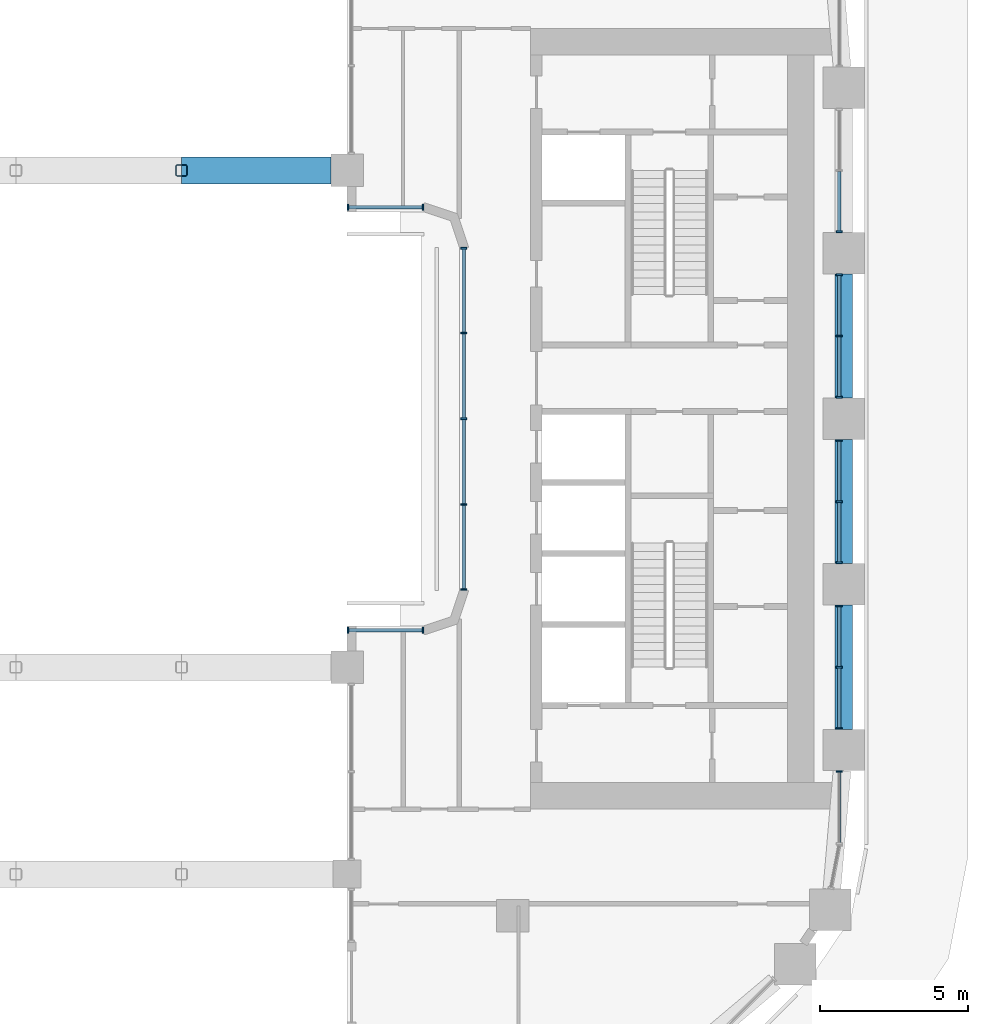
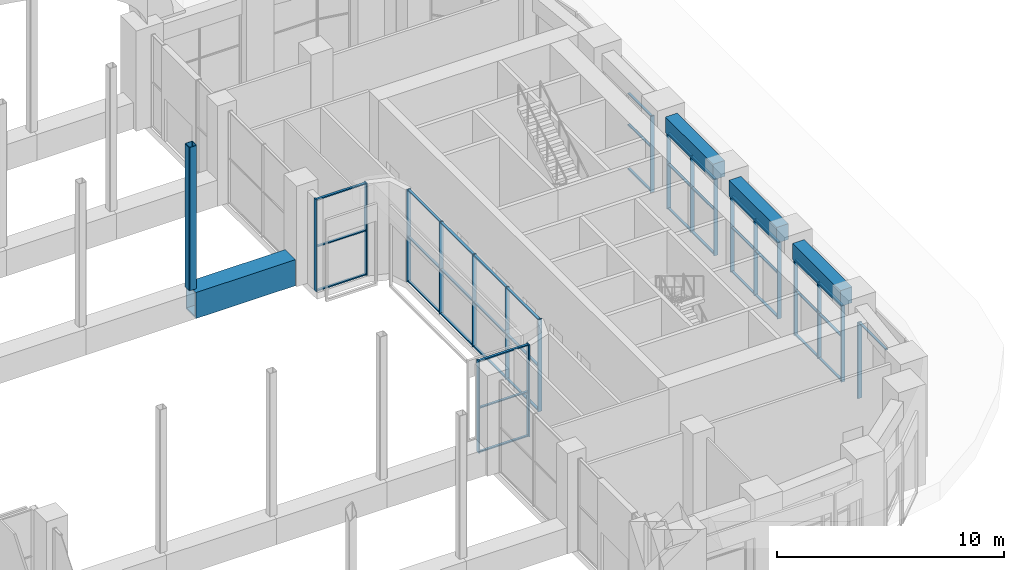
# One storey, part 6 of 27: 62 members, 3 beams, 8 elements without a shape of their own.
"""IFC4 building model written with IfcOpenShell, lengths in metres."""

from ifc_helpers import new_model, si_unit, direction, frame, origin, origin_2d, place, context, subcontext, project, spatial, rectangle, hollow_rectangle, extrude, material, layer, layer_set, material_profile, profile_set, type_object, element, aggregate, save


model = new_model("IFC4")

# Units and contexts
model_context = context("Model", 3, precision=1e-05, world=origin(), true_north=direction((0.0, 1.0)))
body_context = subcontext(model_context, "Body", "Model", "MODEL_VIEW")
ifc_project = project(units=[si_unit("LENGTHUNIT", "METRE"), si_unit("AREAUNIT", "SQUARE_METRE"), si_unit("VOLUMEUNIT", "CUBIC_METRE"), si_unit("PLANEANGLEUNIT", "RADIAN"), si_unit("MASSUNIT", "GRAM", prefix="KILO")], contexts=[model_context])

# Site, building, storey
site_placement = place(None, origin())
site = spatial("IfcSite", under=ifc_project, at=site_placement, CompositionType="ELEMENT")
building_placement = place(site_placement, origin())
building = spatial("IfcBuilding", under=site, at=building_placement, Name="Kiln Ring Residences", CompositionType="ELEMENT")
storey_placement = place(building_placement, frame((0.0, 0.0, 72.5)))
storey = spatial("IfcBuildingStorey", under=building, at=storey_placement, Name="L18", CompositionType="ELEMENT", Elevation=72.5)

# Members
ifc_material_1 = material(Name="Steel S460", Category="steel")
ifc_material_profile_1 = material_profile(ifc_material_1, hollow_rectangle(XDim=0.89990234375, YDim=1.39990234375, WallThickness=0.080078125, at=origin_2d()), Name="BOX1400x900x80")
ifc_profile_set_1 = profile_set([ifc_material_profile_1], Name="Steel S460")
member_type_1 = type_object("IfcMemberType", Name="Bridge truss chord BOX1400x900x80 S460", PredefinedType="CHORD", material=ifc_profile_set_1)
member_1_placement = place(storey_placement, frame((5.60009765625, 8.39990234375, 0.699951171875), z_axis=(1.0, 0.0, 0.0), x_axis=(0.0, 1.0, 0.0)))
element("IfcMember", 1, at=member_1_placement, inside=storey, type_object=member_type_1, Name="Bridge truss chord L18 24", PredefinedType="CHORD", context=body_context, shape_type="SweptSolid", body=[
    extrude(hollow_rectangle(XDim=0.89990234375, YDim=1.39990234375, WallThickness=0.080078125, at=origin_2d()), origin(), (0.0, 0.0, 1.0), 5.0498046875),
])
ifc_material_2 = material(Name="Steel S355", Category="steel")
ifc_material_profile_2 = material_profile(ifc_material_2, hollow_rectangle(XDim=0.39990234375, YDim=0.39990234375, WallThickness=0.02490234375, InnerFilletRadius=0.02490234375, OuterFilletRadius=0.0625, at=origin_2d()), Name="SHS400x400x25")
ifc_profile_set_2 = profile_set([ifc_material_profile_2], Name="Steel S355")
member_type_2 = type_object("IfcMemberType", Name="Bridge truss post SHS400x400x25 S355", PredefinedType="POST", material=ifc_profile_set_2)
member_2_placement = place(storey_placement, frame((5.60009765625, 8.39990234375, 1.39990234375), z_axis=(0.0, 0.0, 1.0), x_axis=(1.0, 0.0, 0.0)))
element("IfcMember", 2, at=member_2_placement, inside=storey, type_object=member_type_2, Name="Bridge truss post L18 18", PredefinedType="POST", context=body_context, shape_type="SweptSolid", body=[
    extrude(hollow_rectangle(XDim=0.39990234375, YDim=0.39990234375, WallThickness=0.02490234375, InnerFilletRadius=0.02490234375, OuterFilletRadius=0.0625, at=origin_2d()), origin(), (0.0, 0.0, 1.0), 7.7001953125),
])

# Curtain wall, members
ifc_material_3 = material(Name="Aluminium and glass", Category="aluminium")
ifc_layer = layer(ifc_material_3, 0.199951171875)
ifc_layer_set = layer_set([ifc_layer], Name="CW1 CURTAIN WALL")
curtain_wall_type = type_object("IfcCurtainWallType", Name="CW1 CURTAIN WALL", PredefinedType="NOTDEFINED", material=ifc_layer_set)
placement = place(storey_placement, origin())
curtain_wall_1 = element("IfcCurtainWall", 3, at=placement, inside=storey, type_object=curtain_wall_type, Name="Curtain wall CW1 L18", PredefinedType="NOTDEFINED")
ifc_material_4 = material(Name="Aluminium 6063-T6", Category="aluminium")
ifc_material_profile_3 = material_profile(ifc_material_4, rectangle(XDim=0.199951171875, YDim=0.06005859375, at=origin_2d()), Name="AL 200x60")
ifc_profile_set_3 = profile_set([ifc_material_profile_3], Name="Aluminium 6063-T6")
member_type_3 = type_object("IfcMemberType", Name="CW1 MULLION 200 x 60", PredefinedType="MULLION", material=ifc_profile_set_3)
member_3_placement = place(storey_placement, frame((13.77001953125, -7.14990234375, 0.0), z_axis=(0.0, 0.0, 1.0), x_axis=(0.0, -1.0, 0.0)))
member_3 = element("IfcMember", 4, at=member_3_placement, type_object=member_type_3, Name="CW1 mullion 1", PredefinedType="MULLION", context=body_context, shape_type="SweptSolid", body=[
    extrude(rectangle(XDim=0.199951171875, YDim=0.06005859375, at=origin_2d()), origin(), (0.0, 0.0, 1.0), 4.949951171875),
])
member_4_placement = place(storey_placement, frame((11.22998046875, -7.14990234375, 0.0), z_axis=(0.0, 0.0, 1.0), x_axis=(0.0, -1.0, 0.0)))
member_4 = element("IfcMember", 5, at=member_4_placement, type_object=member_type_3, Name="CW1 mullion 2", PredefinedType="MULLION", context=body_context, shape_type="SweptSolid", body=[
    extrude(rectangle(XDim=0.199951171875, YDim=0.06005859375, at=origin_2d()), origin(), (0.0, 0.0, 1.0), 4.949951171875),
])

# Curtain wall, member
curtain_wall_2 = element("IfcCurtainWall", 6, at=placement, inside=storey, type_object=curtain_wall_type, Name="Curtain wall CW1 L18", PredefinedType="NOTDEFINED")
member_5_placement = place(storey_placement, frame((27.85009765625, -11.929931640625, 0.0), z_axis=(0.0, 0.0, 1.0), x_axis=(-1.0, 0.0, 0.0)))
member_5 = element("IfcMember", 7, at=member_5_placement, type_object=member_type_3, Name="CW1 mullion 2", PredefinedType="MULLION", context=body_context, shape_type="SweptSolid", body=[
    extrude(rectangle(XDim=0.199951171875, YDim=0.06005859375, at=origin_2d()), origin(), (0.0, 0.0, 1.0), 4.10009765625),
])

# Curtain wall, members
curtain_wall_3 = element("IfcCurtainWall", 8, at=placement, inside=storey, type_object=curtain_wall_type, Name="Curtain wall CW1 L18", PredefinedType="NOTDEFINED")
member_6_placement = place(storey_placement, frame((27.85009765625, -10.469970703125, 0.0), z_axis=(0.0, 0.0, 1.0), x_axis=(-1.0, 0.0, 0.0)))
member_6 = element("IfcMember", 9, at=member_6_placement, type_object=member_type_3, Name="CW1 mullion 1", PredefinedType="MULLION", context=body_context, shape_type="SweptSolid", body=[
    extrude(rectangle(XDim=0.199951171875, YDim=0.06005859375, at=origin_2d()), origin(), (0.0, 0.0, 1.0), 4.10009765625),
])
member_7_placement = place(storey_placement, frame((27.85009765625, -8.39990234375, 0.0), z_axis=(0.0, 0.0, 1.0), x_axis=(-1.0, 0.0, 0.0)))
member_7 = element("IfcMember", 10, at=member_7_placement, type_object=member_type_3, Name="CW1 mullion 2", PredefinedType="MULLION", context=body_context, shape_type="SweptSolid", body=[
    extrude(rectangle(XDim=0.199951171875, YDim=0.06005859375, at=origin_2d()), origin(), (0.0, 0.0, 1.0), 4.10009765625),
])
member_8_placement = place(storey_placement, frame((27.85009765625, -6.330078125, 0.0), z_axis=(0.0, 0.0, 1.0), x_axis=(-1.0, 0.0, 0.0)))
member_8 = element("IfcMember", 11, at=member_8_placement, type_object=member_type_3, Name="CW1 mullion 3", PredefinedType="MULLION", context=body_context, shape_type="SweptSolid", body=[
    extrude(rectangle(XDim=0.199951171875, YDim=0.06005859375, at=origin_2d()), origin(), (0.0, 0.0, 1.0), 4.10009765625),
])

curtain_wall_4 = element("IfcCurtainWall", 12, at=placement, inside=storey, type_object=curtain_wall_type, Name="Curtain wall CW1 L18", PredefinedType="NOTDEFINED")
member_9_placement = place(storey_placement, frame((27.85009765625, -4.8701171875, 0.0), z_axis=(0.0, 0.0, 1.0), x_axis=(-1.0, 0.0, 0.0)))
member_9 = element("IfcMember", 13, at=member_9_placement, type_object=member_type_3, Name="CW1 mullion 1", PredefinedType="MULLION", context=body_context, shape_type="SweptSolid", body=[
    extrude(rectangle(XDim=0.199951171875, YDim=0.06005859375, at=origin_2d()), origin(), (0.0, 0.0, 1.0), 4.10009765625),
])
member_10_placement = place(storey_placement, frame((27.85009765625, -2.800048828125, 0.0), z_axis=(0.0, 0.0, 1.0), x_axis=(-1.0, 0.0, 0.0)))
member_10 = element("IfcMember", 14, at=member_10_placement, type_object=member_type_3, Name="CW1 mullion 2", PredefinedType="MULLION", context=body_context, shape_type="SweptSolid", body=[
    extrude(rectangle(XDim=0.199951171875, YDim=0.06005859375, at=origin_2d()), origin(), (0.0, 0.0, 1.0), 4.10009765625),
])
member_11_placement = place(storey_placement, frame((27.85009765625, -0.72998046875, 0.0), z_axis=(0.0, 0.0, 1.0), x_axis=(-1.0, 0.0, 0.0)))
member_11 = element("IfcMember", 15, at=member_11_placement, type_object=member_type_3, Name="CW1 mullion 3", PredefinedType="MULLION", context=body_context, shape_type="SweptSolid", body=[
    extrude(rectangle(XDim=0.199951171875, YDim=0.06005859375, at=origin_2d()), origin(), (0.0, 0.0, 1.0), 4.10009765625),
])

curtain_wall_5 = element("IfcCurtainWall", 16, at=placement, inside=storey, type_object=curtain_wall_type, Name="Curtain wall CW1 L18", PredefinedType="NOTDEFINED")
member_12_placement = place(storey_placement, frame((27.85009765625, 0.72998046875, 0.0), z_axis=(0.0, 0.0, 1.0), x_axis=(-1.0, 0.0, 0.0)))
member_12 = element("IfcMember", 17, at=member_12_placement, type_object=member_type_3, Name="CW1 mullion 1", PredefinedType="MULLION", context=body_context, shape_type="SweptSolid", body=[
    extrude(rectangle(XDim=0.199951171875, YDim=0.06005859375, at=origin_2d()), origin(), (0.0, 0.0, 1.0), 4.10009765625),
])
member_13_placement = place(storey_placement, frame((27.85009765625, 2.800048828125, 0.0), z_axis=(0.0, 0.0, 1.0), x_axis=(-1.0, 0.0, 0.0)))
member_13 = element("IfcMember", 18, at=member_13_placement, type_object=member_type_3, Name="CW1 mullion 2", PredefinedType="MULLION", context=body_context, shape_type="SweptSolid", body=[
    extrude(rectangle(XDim=0.199951171875, YDim=0.06005859375, at=origin_2d()), origin(), (0.0, 0.0, 1.0), 4.10009765625),
])
member_14_placement = place(storey_placement, frame((27.85009765625, 4.8701171875, 0.0), z_axis=(0.0, 0.0, 1.0), x_axis=(-1.0, 0.0, 0.0)))
member_14 = element("IfcMember", 19, at=member_14_placement, type_object=member_type_3, Name="CW1 mullion 3", PredefinedType="MULLION", context=body_context, shape_type="SweptSolid", body=[
    extrude(rectangle(XDim=0.199951171875, YDim=0.06005859375, at=origin_2d()), origin(), (0.0, 0.0, 1.0), 4.10009765625),
])

# Curtain wall, member
curtain_wall_6 = element("IfcCurtainWall", 20, at=placement, inside=storey, type_object=curtain_wall_type, Name="Curtain wall CW1 L18", PredefinedType="NOTDEFINED")
member_15_placement = place(storey_placement, frame((27.85009765625, 6.330078125, 0.0), z_axis=(0.0, 0.0, 1.0), x_axis=(-1.0, 0.0, 0.0)))
member_15 = element("IfcMember", 21, at=member_15_placement, type_object=member_type_3, Name="CW1 mullion 1", PredefinedType="MULLION", context=body_context, shape_type="SweptSolid", body=[
    extrude(rectangle(XDim=0.199951171875, YDim=0.06005859375, at=origin_2d()), origin(), (0.0, 0.0, 1.0), 4.10009765625),
])

# Curtain wall, members
curtain_wall_7 = element("IfcCurtainWall", 22, at=placement, inside=storey, type_object=curtain_wall_type, Name="Curtain wall CW1 L18", PredefinedType="NOTDEFINED")
member_16_placement = place(storey_placement, frame((11.22998046875, 7.14990234375, 0.0), z_axis=(0.0, 0.0, 1.0), x_axis=(0.0, 1.0, 0.0)))
member_16 = element("IfcMember", 23, at=member_16_placement, type_object=member_type_3, Name="CW1 mullion 1", PredefinedType="MULLION", context=body_context, shape_type="SweptSolid", body=[
    extrude(rectangle(XDim=0.199951171875, YDim=0.06005859375, at=origin_2d()), origin(), (0.0, 0.0, 1.0), 4.949951171875),
])
member_17_placement = place(storey_placement, frame((13.77001953125, 7.14990234375, 0.0), z_axis=(0.0, 0.0, 1.0), x_axis=(0.0, 1.0, 0.0)))
member_17 = element("IfcMember", 24, at=member_17_placement, type_object=member_type_3, Name="CW1 mullion 2", PredefinedType="MULLION", context=body_context, shape_type="SweptSolid", body=[
    extrude(rectangle(XDim=0.199951171875, YDim=0.06005859375, at=origin_2d()), origin(), (0.0, 0.0, 1.0), 4.949951171875),
])

curtain_wall_8 = element("IfcCurtainWall", 25, at=placement, inside=storey, type_object=curtain_wall_type, Name="Curtain wall CW1 L18", PredefinedType="NOTDEFINED")
member_18_placement = place(storey_placement, frame((15.14990234375, 5.77001953125, 0.0), z_axis=(0.0, 0.0, 1.0), x_axis=(1.0, 0.0, 0.0)))
member_18 = element("IfcMember", 26, at=member_18_placement, type_object=member_type_3, Name="CW1 mullion 1", PredefinedType="MULLION", context=body_context, shape_type="SweptSolid", body=[
    extrude(rectangle(XDim=0.199951171875, YDim=0.06005859375, at=origin_2d()), origin(), (0.0, 0.0, 1.0), 4.949951171875),
])
member_19_placement = place(storey_placement, frame((15.14990234375, 2.89990234375, 0.0), z_axis=(0.0, 0.0, 1.0), x_axis=(1.0, 0.0, 0.0)))
member_19 = element("IfcMember", 27, at=member_19_placement, type_object=member_type_3, Name="CW1 mullion 2", PredefinedType="MULLION", context=body_context, shape_type="SweptSolid", body=[
    extrude(rectangle(XDim=0.199951171875, YDim=0.06005859375, at=origin_2d()), origin(), (0.0, 0.0, 1.0), 4.949951171875),
])
member_20_placement = place(storey_placement, frame((15.14990234375, 0.0, 0.0), z_axis=(0.0, 0.0, 1.0), x_axis=(1.0, 0.0, 0.0)))
member_20 = element("IfcMember", 28, at=member_20_placement, type_object=member_type_3, Name="CW1 mullion 3", PredefinedType="MULLION", context=body_context, shape_type="SweptSolid", body=[
    extrude(rectangle(XDim=0.199951171875, YDim=0.06005859375, at=origin_2d()), origin(), (0.0, 0.0, 1.0), 4.949951171875),
])
member_21_placement = place(storey_placement, frame((15.14990234375, -2.89990234375, 0.0), z_axis=(0.0, 0.0, 1.0), x_axis=(1.0, 0.0, 0.0)))
member_21 = element("IfcMember", 29, at=member_21_placement, type_object=member_type_3, Name="CW1 mullion 4", PredefinedType="MULLION", context=body_context, shape_type="SweptSolid", body=[
    extrude(rectangle(XDim=0.199951171875, YDim=0.06005859375, at=origin_2d()), origin(), (0.0, 0.0, 1.0), 4.949951171875),
])
member_22_placement = place(storey_placement, frame((15.14990234375, -5.77001953125, 0.0), z_axis=(0.0, 0.0, 1.0), x_axis=(1.0, 0.0, 0.0)))
member_22 = element("IfcMember", 30, at=member_22_placement, type_object=member_type_3, Name="CW1 mullion 5", PredefinedType="MULLION", context=body_context, shape_type="SweptSolid", body=[
    extrude(rectangle(XDim=0.199951171875, YDim=0.06005859375, at=origin_2d()), origin(), (0.0, 0.0, 1.0), 4.949951171875),
])

# Member
ifc_material_5 = material(Name="Aluminium 6063-T6", Category="aluminium")
ifc_material_profile_4 = material_profile(ifc_material_5, rectangle(XDim=0.1201171875, YDim=0.06005859375, at=origin_2d()), Name="AL 120x60")
ifc_profile_set_4 = profile_set([ifc_material_profile_4], Name="Aluminium 6063-T6")
member_type_4 = type_object("IfcMemberType", Name="CW1 TRANSOM 120 x 60", PredefinedType="USERDEFINED", material=ifc_profile_set_4)
member_23_placement = place(storey_placement, frame((13.739990234375, -7.14990234375, 0.030029296875), z_axis=(-1.0, 0.0, 0.0), x_axis=(0.0, -1.0, 0.0)))
member_23 = element("IfcMember", 31, at=member_23_placement, type_object=member_type_4, Name="CW1 transom 1.1", ObjectType="TRANSOM", PredefinedType="USERDEFINED", context=body_context, shape_type="SweptSolid", body=[
    extrude(rectangle(XDim=0.1201171875, YDim=0.06005859375, at=origin_2d()), origin(), (0.0, 0.0, 1.0), 2.47998046875),
])

member_24_placement = place(storey_placement, frame((13.739990234375, -7.14990234375, 2.39990234375), z_axis=(-1.0, 0.0, 0.0), x_axis=(0.0, -1.0, 0.0)))
member_24 = element("IfcMember", 32, at=member_24_placement, type_object=member_type_4, Name="CW1 transom 1.2", ObjectType="TRANSOM", PredefinedType="USERDEFINED", context=body_context, shape_type="SweptSolid", body=[
    extrude(rectangle(XDim=0.1201171875, YDim=0.06005859375, at=origin_2d()), origin(), (0.0, 0.0, 1.0), 2.47998046875),
])

member_25_placement = place(storey_placement, frame((13.739990234375, -7.14990234375, 4.919921875), z_axis=(-1.0, 0.0, 0.0), x_axis=(0.0, -1.0, 0.0)))
member_25 = element("IfcMember", 33, at=member_25_placement, type_object=member_type_4, Name="CW1 transom 1.3", ObjectType="TRANSOM", PredefinedType="USERDEFINED", context=body_context, shape_type="SweptSolid", body=[
    extrude(rectangle(XDim=0.1201171875, YDim=0.06005859375, at=origin_2d()), origin(), (0.0, 0.0, 1.0), 2.47998046875),
])

aggregate(curtain_wall_1, [member_3, member_4, member_23, member_24, member_25])

member_26_placement = place(storey_placement, frame((27.85009765625, -14.340087890625, 4.070068359375), z_axis=(0.0, 1.0, 0.0), x_axis=(-1.0, 0.0, 0.0)))
member_26 = element("IfcMember", 34, at=member_26_placement, type_object=member_type_4, Name="CW1 transom 1.3", ObjectType="TRANSOM", PredefinedType="USERDEFINED", context=body_context, shape_type="SweptSolid", body=[
    extrude(rectangle(XDim=0.1201171875, YDim=0.06005859375, at=origin_2d()), origin(), (0.0, 0.0, 1.0), 2.380126953125),
])

aggregate(curtain_wall_2, [member_5, member_26])

member_27_placement = place(storey_placement, frame((27.85009765625, -10.43994140625, 0.030029296875), z_axis=(0.0, 1.0, 0.0), x_axis=(-1.0, 0.0, 0.0)))
member_27 = element("IfcMember", 35, at=member_27_placement, type_object=member_type_4, Name="CW1 transom 1.1", ObjectType="TRANSOM", PredefinedType="USERDEFINED", context=body_context, shape_type="SweptSolid", body=[
    extrude(rectangle(XDim=0.1201171875, YDim=0.06005859375, at=origin_2d()), origin(), (0.0, 0.0, 1.0), 2.010009765625),
])

member_28_placement = place(storey_placement, frame((27.85009765625, -10.43994140625, 2.39990234375), z_axis=(0.0, 1.0, 0.0), x_axis=(-1.0, 0.0, 0.0)))
member_28 = element("IfcMember", 36, at=member_28_placement, type_object=member_type_4, Name="CW1 transom 1.2", ObjectType="TRANSOM", PredefinedType="USERDEFINED", context=body_context, shape_type="SweptSolid", body=[
    extrude(rectangle(XDim=0.1201171875, YDim=0.06005859375, at=origin_2d()), origin(), (0.0, 0.0, 1.0), 2.010009765625),
])

member_29_placement = place(storey_placement, frame((27.85009765625, -10.43994140625, 4.070068359375), z_axis=(0.0, 1.0, 0.0), x_axis=(-1.0, 0.0, 0.0)))
member_29 = element("IfcMember", 37, at=member_29_placement, type_object=member_type_4, Name="CW1 transom 1.3", ObjectType="TRANSOM", PredefinedType="USERDEFINED", context=body_context, shape_type="SweptSolid", body=[
    extrude(rectangle(XDim=0.1201171875, YDim=0.06005859375, at=origin_2d()), origin(), (0.0, 0.0, 1.0), 2.010009765625),
])

member_30_placement = place(storey_placement, frame((27.85009765625, -8.3701171875, 0.030029296875), z_axis=(0.0, 1.0, 0.0), x_axis=(-1.0, 0.0, 0.0)))
member_30 = element("IfcMember", 38, at=member_30_placement, type_object=member_type_4, Name="CW1 transom 2.1", ObjectType="TRANSOM", PredefinedType="USERDEFINED", context=body_context, shape_type="SweptSolid", body=[
    extrude(rectangle(XDim=0.1201171875, YDim=0.06005859375, at=origin_2d()), origin(), (0.0, 0.0, 1.0), 2.010009765625),
])

member_31_placement = place(storey_placement, frame((27.85009765625, -8.3701171875, 2.39990234375), z_axis=(0.0, 1.0, 0.0), x_axis=(-1.0, 0.0, 0.0)))
member_31 = element("IfcMember", 39, at=member_31_placement, type_object=member_type_4, Name="CW1 transom 2.2", ObjectType="TRANSOM", PredefinedType="USERDEFINED", context=body_context, shape_type="SweptSolid", body=[
    extrude(rectangle(XDim=0.1201171875, YDim=0.06005859375, at=origin_2d()), origin(), (0.0, 0.0, 1.0), 2.010009765625),
])

member_32_placement = place(storey_placement, frame((27.85009765625, -8.3701171875, 4.070068359375), z_axis=(0.0, 1.0, 0.0), x_axis=(-1.0, 0.0, 0.0)))
member_32 = element("IfcMember", 40, at=member_32_placement, type_object=member_type_4, Name="CW1 transom 2.3", ObjectType="TRANSOM", PredefinedType="USERDEFINED", context=body_context, shape_type="SweptSolid", body=[
    extrude(rectangle(XDim=0.1201171875, YDim=0.06005859375, at=origin_2d()), origin(), (0.0, 0.0, 1.0), 2.010009765625),
])

aggregate(curtain_wall_3, [member_6, member_7, member_8, member_27, member_28, member_29, member_30, member_31, member_32])

member_33_placement = place(storey_placement, frame((27.85009765625, -4.840087890625, 0.030029296875), z_axis=(0.0, 1.0, 0.0), x_axis=(-1.0, 0.0, 0.0)))
member_33 = element("IfcMember", 41, at=member_33_placement, type_object=member_type_4, Name="CW1 transom 1.1", ObjectType="TRANSOM", PredefinedType="USERDEFINED", context=body_context, shape_type="SweptSolid", body=[
    extrude(rectangle(XDim=0.1201171875, YDim=0.06005859375, at=origin_2d()), origin(), (0.0, 0.0, 1.0), 2.010009765625),
])

member_34_placement = place(storey_placement, frame((27.85009765625, -4.840087890625, 2.39990234375), z_axis=(0.0, 1.0, 0.0), x_axis=(-1.0, 0.0, 0.0)))
member_34 = element("IfcMember", 42, at=member_34_placement, type_object=member_type_4, Name="CW1 transom 1.2", ObjectType="TRANSOM", PredefinedType="USERDEFINED", context=body_context, shape_type="SweptSolid", body=[
    extrude(rectangle(XDim=0.1201171875, YDim=0.06005859375, at=origin_2d()), origin(), (0.0, 0.0, 1.0), 2.010009765625),
])

member_35_placement = place(storey_placement, frame((27.85009765625, -4.840087890625, 4.070068359375), z_axis=(0.0, 1.0, 0.0), x_axis=(-1.0, 0.0, 0.0)))
member_35 = element("IfcMember", 43, at=member_35_placement, type_object=member_type_4, Name="CW1 transom 1.3", ObjectType="TRANSOM", PredefinedType="USERDEFINED", context=body_context, shape_type="SweptSolid", body=[
    extrude(rectangle(XDim=0.1201171875, YDim=0.06005859375, at=origin_2d()), origin(), (0.0, 0.0, 1.0), 2.010009765625),
])

member_36_placement = place(storey_placement, frame((27.85009765625, -2.77001953125, 0.030029296875), z_axis=(0.0, 1.0, 0.0), x_axis=(-1.0, 0.0, 0.0)))
member_36 = element("IfcMember", 44, at=member_36_placement, type_object=member_type_4, Name="CW1 transom 2.1", ObjectType="TRANSOM", PredefinedType="USERDEFINED", context=body_context, shape_type="SweptSolid", body=[
    extrude(rectangle(XDim=0.1201171875, YDim=0.06005859375, at=origin_2d()), origin(), (0.0, 0.0, 1.0), 2.010009765625),
])

member_37_placement = place(storey_placement, frame((27.85009765625, -2.77001953125, 2.39990234375), z_axis=(0.0, 1.0, 0.0), x_axis=(-1.0, 0.0, 0.0)))
member_37 = element("IfcMember", 45, at=member_37_placement, type_object=member_type_4, Name="CW1 transom 2.2", ObjectType="TRANSOM", PredefinedType="USERDEFINED", context=body_context, shape_type="SweptSolid", body=[
    extrude(rectangle(XDim=0.1201171875, YDim=0.06005859375, at=origin_2d()), origin(), (0.0, 0.0, 1.0), 2.010009765625),
])

member_38_placement = place(storey_placement, frame((27.85009765625, -2.77001953125, 4.070068359375), z_axis=(0.0, 1.0, 0.0), x_axis=(-1.0, 0.0, 0.0)))
member_38 = element("IfcMember", 46, at=member_38_placement, type_object=member_type_4, Name="CW1 transom 2.3", ObjectType="TRANSOM", PredefinedType="USERDEFINED", context=body_context, shape_type="SweptSolid", body=[
    extrude(rectangle(XDim=0.1201171875, YDim=0.06005859375, at=origin_2d()), origin(), (0.0, 0.0, 1.0), 2.010009765625),
])

aggregate(curtain_wall_4, [member_9, member_10, member_11, member_33, member_34, member_35, member_36, member_37, member_38])

member_39_placement = place(storey_placement, frame((27.85009765625, 0.760009765625, 0.030029296875), z_axis=(0.0, 1.0, 0.0), x_axis=(-1.0, 0.0, 0.0)))
member_39 = element("IfcMember", 47, at=member_39_placement, type_object=member_type_4, Name="CW1 transom 1.1", ObjectType="TRANSOM", PredefinedType="USERDEFINED", context=body_context, shape_type="SweptSolid", body=[
    extrude(rectangle(XDim=0.1201171875, YDim=0.06005859375, at=origin_2d()), origin(), (0.0, 0.0, 1.0), 2.010009765625),
])

member_40_placement = place(storey_placement, frame((27.85009765625, 0.760009765625, 2.39990234375), z_axis=(0.0, 1.0, 0.0), x_axis=(-1.0, 0.0, 0.0)))
member_40 = element("IfcMember", 48, at=member_40_placement, type_object=member_type_4, Name="CW1 transom 1.2", ObjectType="TRANSOM", PredefinedType="USERDEFINED", context=body_context, shape_type="SweptSolid", body=[
    extrude(rectangle(XDim=0.1201171875, YDim=0.06005859375, at=origin_2d()), origin(), (0.0, 0.0, 1.0), 2.010009765625),
])

member_41_placement = place(storey_placement, frame((27.85009765625, 0.760009765625, 4.070068359375), z_axis=(0.0, 1.0, 0.0), x_axis=(-1.0, 0.0, 0.0)))
member_41 = element("IfcMember", 49, at=member_41_placement, type_object=member_type_4, Name="CW1 transom 1.3", ObjectType="TRANSOM", PredefinedType="USERDEFINED", context=body_context, shape_type="SweptSolid", body=[
    extrude(rectangle(XDim=0.1201171875, YDim=0.06005859375, at=origin_2d()), origin(), (0.0, 0.0, 1.0), 2.010009765625),
])

member_42_placement = place(storey_placement, frame((27.85009765625, 2.830078125, 0.030029296875), z_axis=(0.0, 1.0, 0.0), x_axis=(-1.0, 0.0, 0.0)))
member_42 = element("IfcMember", 50, at=member_42_placement, type_object=member_type_4, Name="CW1 transom 2.1", ObjectType="TRANSOM", PredefinedType="USERDEFINED", context=body_context, shape_type="SweptSolid", body=[
    extrude(rectangle(XDim=0.1201171875, YDim=0.06005859375, at=origin_2d()), origin(), (0.0, 0.0, 1.0), 2.010009765625),
])

member_43_placement = place(storey_placement, frame((27.85009765625, 2.830078125, 2.39990234375), z_axis=(0.0, 1.0, 0.0), x_axis=(-1.0, 0.0, 0.0)))
member_43 = element("IfcMember", 51, at=member_43_placement, type_object=member_type_4, Name="CW1 transom 2.2", ObjectType="TRANSOM", PredefinedType="USERDEFINED", context=body_context, shape_type="SweptSolid", body=[
    extrude(rectangle(XDim=0.1201171875, YDim=0.06005859375, at=origin_2d()), origin(), (0.0, 0.0, 1.0), 2.010009765625),
])

member_44_placement = place(storey_placement, frame((27.85009765625, 2.830078125, 4.070068359375), z_axis=(0.0, 1.0, 0.0), x_axis=(-1.0, 0.0, 0.0)))
member_44 = element("IfcMember", 52, at=member_44_placement, type_object=member_type_4, Name="CW1 transom 2.3", ObjectType="TRANSOM", PredefinedType="USERDEFINED", context=body_context, shape_type="SweptSolid", body=[
    extrude(rectangle(XDim=0.1201171875, YDim=0.06005859375, at=origin_2d()), origin(), (0.0, 0.0, 1.0), 2.010009765625),
])

aggregate(curtain_wall_5, [member_12, member_13, member_14, member_39, member_40, member_41, member_42, member_43, member_44])

member_45_placement = place(storey_placement, frame((27.85009765625, 6.360107421875, 0.030029296875), z_axis=(0.0, 1.0, 0.0), x_axis=(-1.0, 0.0, 0.0)))
member_45 = element("IfcMember", 53, at=member_45_placement, type_object=member_type_4, Name="CW1 transom 1.1", ObjectType="TRANSOM", PredefinedType="USERDEFINED", context=body_context, shape_type="SweptSolid", body=[
    extrude(rectangle(XDim=0.1201171875, YDim=0.06005859375, at=origin_2d()), origin(), (0.0, 0.0, 1.0), 2.010009765625),
])

member_46_placement = place(storey_placement, frame((27.85009765625, 6.360107421875, 2.39990234375), z_axis=(0.0, 1.0, 0.0), x_axis=(-1.0, 0.0, 0.0)))
member_46 = element("IfcMember", 54, at=member_46_placement, type_object=member_type_4, Name="CW1 transom 1.2", ObjectType="TRANSOM", PredefinedType="USERDEFINED", context=body_context, shape_type="SweptSolid", body=[
    extrude(rectangle(XDim=0.1201171875, YDim=0.06005859375, at=origin_2d()), origin(), (0.0, 0.0, 1.0), 2.010009765625),
])

member_47_placement = place(storey_placement, frame((27.85009765625, 6.360107421875, 4.070068359375), z_axis=(0.0, 1.0, 0.0), x_axis=(-1.0, 0.0, 0.0)))
member_47 = element("IfcMember", 55, at=member_47_placement, type_object=member_type_4, Name="CW1 transom 1.3", ObjectType="TRANSOM", PredefinedType="USERDEFINED", context=body_context, shape_type="SweptSolid", body=[
    extrude(rectangle(XDim=0.1201171875, YDim=0.06005859375, at=origin_2d()), origin(), (0.0, 0.0, 1.0), 2.010009765625),
])

aggregate(curtain_wall_6, [member_15, member_45, member_46, member_47])

member_48_placement = place(storey_placement, frame((11.260009765625, 7.14990234375, 0.030029296875), z_axis=(1.0, 0.0, 0.0), x_axis=(0.0, 1.0, 0.0)))
member_48 = element("IfcMember", 56, at=member_48_placement, type_object=member_type_4, Name="CW1 transom 1.1", ObjectType="TRANSOM", PredefinedType="USERDEFINED", context=body_context, shape_type="SweptSolid", body=[
    extrude(rectangle(XDim=0.1201171875, YDim=0.06005859375, at=origin_2d()), origin(), (0.0, 0.0, 1.0), 2.47998046875),
])

member_49_placement = place(storey_placement, frame((11.260009765625, 7.14990234375, 2.39990234375), z_axis=(1.0, 0.0, 0.0), x_axis=(0.0, 1.0, 0.0)))
member_49 = element("IfcMember", 57, at=member_49_placement, type_object=member_type_4, Name="CW1 transom 1.2", ObjectType="TRANSOM", PredefinedType="USERDEFINED", context=body_context, shape_type="SweptSolid", body=[
    extrude(rectangle(XDim=0.1201171875, YDim=0.06005859375, at=origin_2d()), origin(), (0.0, 0.0, 1.0), 2.47998046875),
])

member_50_placement = place(storey_placement, frame((11.260009765625, 7.14990234375, 4.919921875), z_axis=(1.0, 0.0, 0.0), x_axis=(0.0, 1.0, 0.0)))
member_50 = element("IfcMember", 58, at=member_50_placement, type_object=member_type_4, Name="CW1 transom 1.3", ObjectType="TRANSOM", PredefinedType="USERDEFINED", context=body_context, shape_type="SweptSolid", body=[
    extrude(rectangle(XDim=0.1201171875, YDim=0.06005859375, at=origin_2d()), origin(), (0.0, 0.0, 1.0), 2.47998046875),
])

aggregate(curtain_wall_7, [member_16, member_17, member_48, member_49, member_50])

member_51_placement = place(storey_placement, frame((15.14990234375, 5.739990234375, 0.030029296875), z_axis=(0.0, -1.0, 0.0), x_axis=(1.0, 0.0, 0.0)))
member_51 = element("IfcMember", 59, at=member_51_placement, type_object=member_type_4, Name="CW1 transom 1.1", ObjectType="TRANSOM", PredefinedType="USERDEFINED", context=body_context, shape_type="SweptSolid", body=[
    extrude(rectangle(XDim=0.1201171875, YDim=0.06005859375, at=origin_2d()), origin(), (0.0, 0.0, 1.0), 2.81005859375),
])

member_52_placement = place(storey_placement, frame((15.14990234375, 5.739990234375, 2.39990234375), z_axis=(0.0, -1.0, 0.0), x_axis=(1.0, 0.0, 0.0)))
member_52 = element("IfcMember", 60, at=member_52_placement, type_object=member_type_4, Name="CW1 transom 1.2", ObjectType="TRANSOM", PredefinedType="USERDEFINED", context=body_context, shape_type="SweptSolid", body=[
    extrude(rectangle(XDim=0.1201171875, YDim=0.06005859375, at=origin_2d()), origin(), (0.0, 0.0, 1.0), 2.81005859375),
])

member_53_placement = place(storey_placement, frame((15.14990234375, 5.739990234375, 4.919921875), z_axis=(0.0, -1.0, 0.0), x_axis=(1.0, 0.0, 0.0)))
member_53 = element("IfcMember", 61, at=member_53_placement, type_object=member_type_4, Name="CW1 transom 1.3", ObjectType="TRANSOM", PredefinedType="USERDEFINED", context=body_context, shape_type="SweptSolid", body=[
    extrude(rectangle(XDim=0.1201171875, YDim=0.06005859375, at=origin_2d()), origin(), (0.0, 0.0, 1.0), 2.81005859375),
])

member_54_placement = place(storey_placement, frame((15.14990234375, 2.8701171875, 0.030029296875), z_axis=(0.0, -1.0, 0.0), x_axis=(1.0, 0.0, 0.0)))
member_54 = element("IfcMember", 62, at=member_54_placement, type_object=member_type_4, Name="CW1 transom 2.1", ObjectType="TRANSOM", PredefinedType="USERDEFINED", context=body_context, shape_type="SweptSolid", body=[
    extrude(rectangle(XDim=0.1201171875, YDim=0.06005859375, at=origin_2d()), origin(), (0.0, 0.0, 1.0), 2.840087890625),
])

member_55_placement = place(storey_placement, frame((15.14990234375, 2.8701171875, 2.39990234375), z_axis=(0.0, -1.0, 0.0), x_axis=(1.0, 0.0, 0.0)))
member_55 = element("IfcMember", 63, at=member_55_placement, type_object=member_type_4, Name="CW1 transom 2.2", ObjectType="TRANSOM", PredefinedType="USERDEFINED", context=body_context, shape_type="SweptSolid", body=[
    extrude(rectangle(XDim=0.1201171875, YDim=0.06005859375, at=origin_2d()), origin(), (0.0, 0.0, 1.0), 2.840087890625),
])

member_56_placement = place(storey_placement, frame((15.14990234375, 2.8701171875, 4.919921875), z_axis=(0.0, -1.0, 0.0), x_axis=(1.0, 0.0, 0.0)))
member_56 = element("IfcMember", 64, at=member_56_placement, type_object=member_type_4, Name="CW1 transom 2.3", ObjectType="TRANSOM", PredefinedType="USERDEFINED", context=body_context, shape_type="SweptSolid", body=[
    extrude(rectangle(XDim=0.1201171875, YDim=0.06005859375, at=origin_2d()), origin(), (0.0, 0.0, 1.0), 2.840087890625),
])

member_57_placement = place(storey_placement, frame((15.14990234375, -0.030029296875, 0.030029296875), z_axis=(0.0, -1.0, 0.0), x_axis=(1.0, 0.0, 0.0)))
member_57 = element("IfcMember", 65, at=member_57_placement, type_object=member_type_4, Name="CW1 transom 3.1", ObjectType="TRANSOM", PredefinedType="USERDEFINED", context=body_context, shape_type="SweptSolid", body=[
    extrude(rectangle(XDim=0.1201171875, YDim=0.06005859375, at=origin_2d()), origin(), (0.0, 0.0, 1.0), 2.840087890625),
])

member_58_placement = place(storey_placement, frame((15.14990234375, -0.030029296875, 2.39990234375), z_axis=(0.0, -1.0, 0.0), x_axis=(1.0, 0.0, 0.0)))
member_58 = element("IfcMember", 66, at=member_58_placement, type_object=member_type_4, Name="CW1 transom 3.2", ObjectType="TRANSOM", PredefinedType="USERDEFINED", context=body_context, shape_type="SweptSolid", body=[
    extrude(rectangle(XDim=0.1201171875, YDim=0.06005859375, at=origin_2d()), origin(), (0.0, 0.0, 1.0), 2.840087890625),
])

member_59_placement = place(storey_placement, frame((15.14990234375, -0.030029296875, 4.919921875), z_axis=(0.0, -1.0, 0.0), x_axis=(1.0, 0.0, 0.0)))
member_59 = element("IfcMember", 67, at=member_59_placement, type_object=member_type_4, Name="CW1 transom 3.3", ObjectType="TRANSOM", PredefinedType="USERDEFINED", context=body_context, shape_type="SweptSolid", body=[
    extrude(rectangle(XDim=0.1201171875, YDim=0.06005859375, at=origin_2d()), origin(), (0.0, 0.0, 1.0), 2.840087890625),
])

member_60_placement = place(storey_placement, frame((15.14990234375, -2.929931640625, 0.030029296875), z_axis=(0.0, -1.0, 0.0), x_axis=(1.0, 0.0, 0.0)))
member_60 = element("IfcMember", 68, at=member_60_placement, type_object=member_type_4, Name="CW1 transom 4.1", ObjectType="TRANSOM", PredefinedType="USERDEFINED", context=body_context, shape_type="SweptSolid", body=[
    extrude(rectangle(XDim=0.1201171875, YDim=0.06005859375, at=origin_2d()), origin(), (0.0, 0.0, 1.0), 2.81005859375),
])

member_61_placement = place(storey_placement, frame((15.14990234375, -2.929931640625, 2.39990234375), z_axis=(0.0, -1.0, 0.0), x_axis=(1.0, 0.0, 0.0)))
member_61 = element("IfcMember", 69, at=member_61_placement, type_object=member_type_4, Name="CW1 transom 4.2", ObjectType="TRANSOM", PredefinedType="USERDEFINED", context=body_context, shape_type="SweptSolid", body=[
    extrude(rectangle(XDim=0.1201171875, YDim=0.06005859375, at=origin_2d()), origin(), (0.0, 0.0, 1.0), 2.81005859375),
])

member_62_placement = place(storey_placement, frame((15.14990234375, -2.929931640625, 4.919921875), z_axis=(0.0, -1.0, 0.0), x_axis=(1.0, 0.0, 0.0)))
member_62 = element("IfcMember", 70, at=member_62_placement, type_object=member_type_4, Name="CW1 transom 4.3", ObjectType="TRANSOM", PredefinedType="USERDEFINED", context=body_context, shape_type="SweptSolid", body=[
    extrude(rectangle(XDim=0.1201171875, YDim=0.06005859375, at=origin_2d()), origin(), (0.0, 0.0, 1.0), 2.81005859375),
])

aggregate(curtain_wall_8, [member_18, member_19, member_20, member_21, member_22, member_51, member_52, member_53, member_54, member_55, member_56, member_57, member_58, member_59, member_60, member_61, member_62])

# Beams
ifc_material_6 = material(Name="Concrete C50/60", Category="concrete")
ifc_material_profile_5 = material_profile(ifc_material_6, rectangle(XDim=0.60009765625, YDim=0.85009765625, at=origin_2d()), Name="RC600x850")
ifc_profile_set_5 = profile_set([ifc_material_profile_5], Name="Concrete C50/60")
beam_type = type_object("IfcBeamType", Name="Spandrel beam RC600x850 C50/60", PredefinedType="SPANDREL", material=ifc_profile_set_5)
for number, where, z_axis, x_axis, name in (
    (71, (28.0, -10.5, 4.52490234375), (0.0, 1.0, 0.0), (-1.0, 0.0, 0.0), "Spandrel beam L18 7"),
    (72, (28.0, -4.89990234375, 4.52490234375), (0.0, 1.0, 0.0), (-1.0, 0.0, 0.0), "Spandrel beam L18 8"),
    (73, (28.0, 0.699951171875, 4.52490234375), (0.0, 1.0, 0.0), (-1.0, 0.0, 0.0), "Spandrel beam L18 9"),
):
    element("IfcBeam", number, at=place(storey_placement, frame(where, z_axis=z_axis, x_axis=x_axis)), inside=storey, type_object=beam_type, Name=name, PredefinedType="SPANDREL", context=body_context, shape_type="SweptSolid", body=[
        extrude(rectangle(XDim=0.60009765625, YDim=0.85009765625, at=origin_2d()), origin(), (0.0, 0.0, 1.0), 4.199951171875),
    ])

save(model, "model.ifc")
